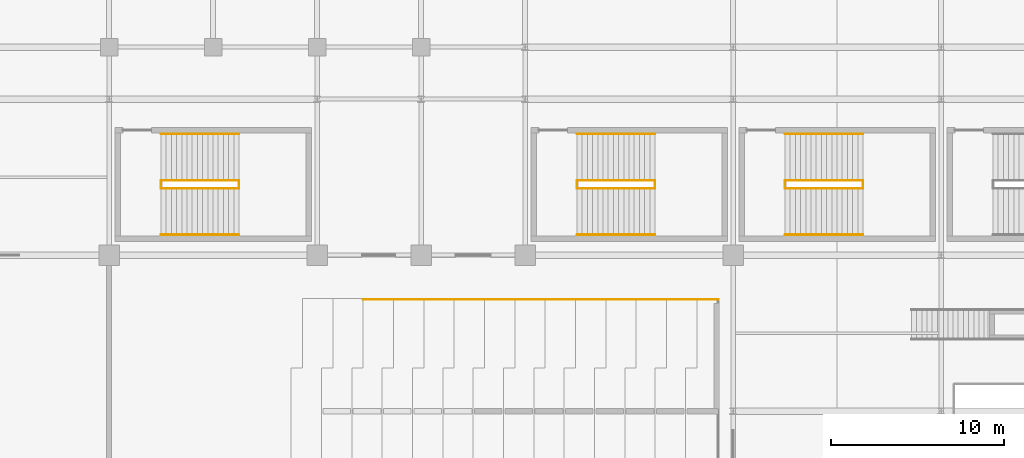
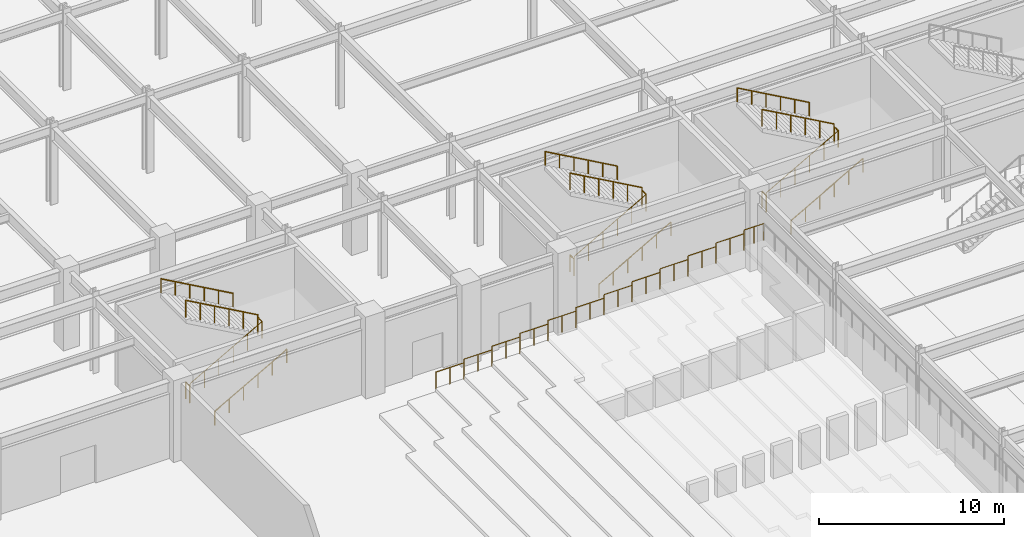
# One storey, part 97 of 100: 30 railings.
"""IFC4 building model written with IfcOpenShell, lengths in metres."""

from ifc_helpers import new_model, si_unit, direction, frame, origin, origin_2d, place, context, subcontext, project, spatial, circle, extrude, material, type_object, element, save


model = new_model("IFC4")

# Units and contexts
model_context = context("Model", 3, precision=1e-05, world=origin(), true_north=direction((0.0, 1.0)))
body_context = subcontext(model_context, "Body", "Model", "MODEL_VIEW")
ifc_project = project(units=[si_unit("LENGTHUNIT", "METRE"), si_unit("AREAUNIT", "SQUARE_METRE"), si_unit("VOLUMEUNIT", "CUBIC_METRE"), si_unit("PLANEANGLEUNIT", "RADIAN"), si_unit("MASSUNIT", "GRAM", prefix="KILO")], contexts=[model_context])

# Site, building, storey
site_placement = place(None, origin())
site = spatial("IfcSite", under=ifc_project, at=site_placement, CompositionType="ELEMENT")
building_placement = place(site_placement, origin())
building = spatial("IfcBuilding", under=site, at=building_placement, Name="Kaldorvane Square Convention Centre", CompositionType="ELEMENT")
storey_placement = place(building_placement, frame((0.0, 0.0, 18.0)))
storey = spatial("IfcBuildingStorey", under=building, at=storey_placement, Name="L03", CompositionType="ELEMENT", Elevation=18.0)

# Railings
ifc_material = material(Name="Architectural Painted Steel", Category="steel")
railing_type_1 = type_object("IfcRailingType", Name="RL-GUARD-1120", PredefinedType="BALUSTRADE", material=ifc_material)
for number, where, name in (
    (1, (80.99000549316406, 75.86000061035156, 0.0), "Convention Exit Stair C15 Floor Well Guard (L03)"),
    (2, (85.49000549316406, 75.86000061035156, 2.6999969482421875), "Convention Exit Stair C15 Half-Landing Guard (L03)"),
):
    element("IfcRailing", number, at=place(storey_placement, frame(where)), inside=storey, type_object=railing_type_1, Name=name, PredefinedType="BALUSTRADE", context=body_context, shape_type="SweptSolid", body=[
        extrude(circle(Radius=0.0240020751953125, at=origin_2d()), frame((0.0, 0.0, 1.0959930419921875), z_axis=(0.0, 1.0, 0.0), x_axis=(-1.0, 0.0, 0.0)), (0.0, 0.0, 1.0), 0.44000244140625),
        extrude(circle(Radius=0.02099609375, at=origin_2d()), origin(), (0.0, 0.0, 1.0), 1.071990966796875),
        extrude(circle(Radius=0.02099609375, at=origin_2d()), frame((0.0, 0.44000244140625, 0.0)), (0.0, 0.0, 1.0), 1.071990966796875),
    ])
railing_1_placement = place(storey_placement, frame((80.99000549316406, 75.85000610351562, 0.1687469482421875)))
element("IfcRailing", 3, at=railing_1_placement, inside=storey, type_object=railing_type_1, Name="Convention Exit Stair C15 Flight 1 Guard (L03)", PredefinedType="BALUSTRADE", context=body_context, shape_type="SweptSolid", body=[
    extrude(circle(Radius=0.0240020751953125, at=origin_2d()), frame((0.0, 0.0, 1.0959930419921875), z_axis=(0.871575537125, 0.0, 0.490261239633), x_axis=(0.0, 1.0, 0.0)), (0.0, 0.0, 1.0), 5.1630706787109375),
    extrude(circle(Radius=0.02099609375, at=origin_2d()), origin(), (0.0, 0.0, 1.0), 1.071990966796875),
    extrude(circle(Radius=0.02099609375, at=origin_2d()), frame((0.899993896484375, 0.0, 0.506256103515625)), (0.0, 0.0, 1.0), 1.071990966796875),
    extrude(circle(Radius=0.02099609375, at=origin_2d()), frame((1.8000030517578125, 0.0, 1.0124969482421875)), (0.0, 0.0, 1.0), 1.071990966796875),
    extrude(circle(Radius=0.02099609375, at=origin_2d()), frame((2.6999969482421875, 0.0, 1.5187530517578125)), (0.0, 0.0, 1.0), 1.071990966796875),
    extrude(circle(Radius=0.02099609375, at=origin_2d()), frame((3.600006103515625, 0.0, 2.024993896484375)), (0.0, 0.0, 1.0), 1.071990966796875),
    extrude(circle(Radius=0.02099609375, at=origin_2d()), frame((4.5, 0.0, 2.53125)), (0.0, 0.0, 1.0), 1.071990966796875),
])
railing_2_placement = place(storey_placement, frame((85.49000549316406, 76.30999755859375, 2.868743896484375)))
element("IfcRailing", 4, at=railing_2_placement, inside=storey, type_object=railing_type_1, Name="Convention Exit Stair C15 Flight 2 Guard (L03)", PredefinedType="BALUSTRADE", context=body_context, shape_type="SweptSolid", body=[
    extrude(circle(Radius=0.0240020751953125, at=origin_2d()), frame((0.0, 0.0, 1.0959930419921875), z_axis=(-0.871575537125, 0.0, 0.490261239633), x_axis=(0.0, -1.0, 0.0)), (0.0, 0.0, 1.0), 5.1630706787109375),
    extrude(circle(Radius=0.02099609375, at=origin_2d()), origin(), (0.0, 0.0, 1.0), 1.071990966796875),
    extrude(circle(Radius=0.02099609375, at=origin_2d()), frame((-0.899993896484375, 0.0, 0.506256103515625)), (0.0, 0.0, 1.0), 1.071990966796875),
    extrude(circle(Radius=0.02099609375, at=origin_2d()), frame((-1.8000030517578125, 0.0, 1.0124969482421875)), (0.0, 0.0, 1.0), 1.071990966796875),
    extrude(circle(Radius=0.02099609375, at=origin_2d()), frame((-2.6999969482421875, 0.0, 1.5187530517578125)), (0.0, 0.0, 1.0), 1.071990966796875),
    extrude(circle(Radius=0.02099609375, at=origin_2d()), frame((-3.600006103515625, 0.0, 2.024993896484375)), (0.0, 0.0, 1.0), 1.071990966796875),
    extrude(circle(Radius=0.02099609375, at=origin_2d()), frame((-4.5, 0.0, 2.53125)), (0.0, 0.0, 1.0), 1.071990966796875),
])
for number, where, name in (
    (5, (104.99000549316406, 75.86000061035156, 0.0), "Convention Exit Stair C16 Floor Well Guard (L03)"),
    (6, (109.49000549316406, 75.86000061035156, 2.6999969482421875), "Convention Exit Stair C16 Half-Landing Guard (L03)"),
):
    element("IfcRailing", number, at=place(storey_placement, frame(where)), inside=storey, type_object=railing_type_1, Name=name, PredefinedType="BALUSTRADE", context=body_context, shape_type="SweptSolid", body=[
        extrude(circle(Radius=0.0240020751953125, at=origin_2d()), frame((0.0, 0.0, 1.0959930419921875), z_axis=(0.0, 1.0, 0.0), x_axis=(-1.0, 0.0, 0.0)), (0.0, 0.0, 1.0), 0.44000244140625),
        extrude(circle(Radius=0.02099609375, at=origin_2d()), origin(), (0.0, 0.0, 1.0), 1.071990966796875),
        extrude(circle(Radius=0.02099609375, at=origin_2d()), frame((0.0, 0.44000244140625, 0.0)), (0.0, 0.0, 1.0), 1.071990966796875),
    ])
railing_3_placement = place(storey_placement, frame((104.99000549316406, 75.85000610351562, 0.1687469482421875)))
element("IfcRailing", 7, at=railing_3_placement, inside=storey, type_object=railing_type_1, Name="Convention Exit Stair C16 Flight 1 Guard (L03)", PredefinedType="BALUSTRADE", context=body_context, shape_type="SweptSolid", body=[
    extrude(circle(Radius=0.0240020751953125, at=origin_2d()), frame((0.0, 0.0, 1.0959930419921875), z_axis=(0.871575537125, 0.0, 0.490261239633), x_axis=(0.0, 1.0, 0.0)), (0.0, 0.0, 1.0), 5.1630706787109375),
    extrude(circle(Radius=0.02099609375, at=origin_2d()), origin(), (0.0, 0.0, 1.0), 1.071990966796875),
    extrude(circle(Radius=0.02099609375, at=origin_2d()), frame((0.899993896484375, 0.0, 0.506256103515625)), (0.0, 0.0, 1.0), 1.071990966796875),
    extrude(circle(Radius=0.02099609375, at=origin_2d()), frame((1.8000030517578125, 0.0, 1.0124969482421875)), (0.0, 0.0, 1.0), 1.071990966796875),
    extrude(circle(Radius=0.02099609375, at=origin_2d()), frame((2.6999969482421875, 0.0, 1.5187530517578125)), (0.0, 0.0, 1.0), 1.071990966796875),
    extrude(circle(Radius=0.02099609375, at=origin_2d()), frame((3.600006103515625, 0.0, 2.024993896484375)), (0.0, 0.0, 1.0), 1.071990966796875),
    extrude(circle(Radius=0.02099609375, at=origin_2d()), frame((4.5, 0.0, 2.53125)), (0.0, 0.0, 1.0), 1.071990966796875),
])
railing_4_placement = place(storey_placement, frame((109.49000549316406, 76.30999755859375, 2.868743896484375)))
element("IfcRailing", 8, at=railing_4_placement, inside=storey, type_object=railing_type_1, Name="Convention Exit Stair C16 Flight 2 Guard (L03)", PredefinedType="BALUSTRADE", context=body_context, shape_type="SweptSolid", body=[
    extrude(circle(Radius=0.0240020751953125, at=origin_2d()), frame((0.0, 0.0, 1.0959930419921875), z_axis=(-0.871575537125, 0.0, 0.490261239633), x_axis=(0.0, -1.0, 0.0)), (0.0, 0.0, 1.0), 5.1630706787109375),
    extrude(circle(Radius=0.02099609375, at=origin_2d()), origin(), (0.0, 0.0, 1.0), 1.071990966796875),
    extrude(circle(Radius=0.02099609375, at=origin_2d()), frame((-0.899993896484375, 0.0, 0.506256103515625)), (0.0, 0.0, 1.0), 1.071990966796875),
    extrude(circle(Radius=0.02099609375, at=origin_2d()), frame((-1.8000030517578125, 0.0, 1.0124969482421875)), (0.0, 0.0, 1.0), 1.071990966796875),
    extrude(circle(Radius=0.02099609375, at=origin_2d()), frame((-2.6999969482421875, 0.0, 1.5187530517578125)), (0.0, 0.0, 1.0), 1.071990966796875),
    extrude(circle(Radius=0.02099609375, at=origin_2d()), frame((-3.600006103515625, 0.0, 2.024993896484375)), (0.0, 0.0, 1.0), 1.071990966796875),
    extrude(circle(Radius=0.02099609375, at=origin_2d()), frame((-4.5, 0.0, 2.53125)), (0.0, 0.0, 1.0), 1.071990966796875),
])
for number, where, name in (
    (9, (116.99000549316406, 75.86000061035156, 0.0), "Convention Exit Stair C17 Floor Well Guard (L03)"),
    (10, (121.49000549316406, 75.86000061035156, 2.6999969482421875), "Convention Exit Stair C17 Half-Landing Guard (L03)"),
):
    element("IfcRailing", number, at=place(storey_placement, frame(where)), inside=storey, type_object=railing_type_1, Name=name, PredefinedType="BALUSTRADE", context=body_context, shape_type="SweptSolid", body=[
        extrude(circle(Radius=0.0240020751953125, at=origin_2d()), frame((0.0, 0.0, 1.0959930419921875), z_axis=(0.0, 1.0, 0.0), x_axis=(-1.0, 0.0, 0.0)), (0.0, 0.0, 1.0), 0.44000244140625),
        extrude(circle(Radius=0.02099609375, at=origin_2d()), origin(), (0.0, 0.0, 1.0), 1.071990966796875),
        extrude(circle(Radius=0.02099609375, at=origin_2d()), frame((0.0, 0.44000244140625, 0.0)), (0.0, 0.0, 1.0), 1.071990966796875),
    ])
railing_5_placement = place(storey_placement, frame((116.99000549316406, 75.85000610351562, 0.1687469482421875)))
element("IfcRailing", 11, at=railing_5_placement, inside=storey, type_object=railing_type_1, Name="Convention Exit Stair C17 Flight 1 Guard (L03)", PredefinedType="BALUSTRADE", context=body_context, shape_type="SweptSolid", body=[
    extrude(circle(Radius=0.0240020751953125, at=origin_2d()), frame((0.0, 0.0, 1.0959930419921875), z_axis=(0.871575537125, 0.0, 0.490261239633), x_axis=(0.0, 1.0, 0.0)), (0.0, 0.0, 1.0), 5.1630706787109375),
    extrude(circle(Radius=0.02099609375, at=origin_2d()), origin(), (0.0, 0.0, 1.0), 1.071990966796875),
    extrude(circle(Radius=0.02099609375, at=origin_2d()), frame((0.899993896484375, 0.0, 0.506256103515625)), (0.0, 0.0, 1.0), 1.071990966796875),
    extrude(circle(Radius=0.02099609375, at=origin_2d()), frame((1.8000030517578125, 0.0, 1.0124969482421875)), (0.0, 0.0, 1.0), 1.071990966796875),
    extrude(circle(Radius=0.02099609375, at=origin_2d()), frame((2.6999969482421875, 0.0, 1.5187530517578125)), (0.0, 0.0, 1.0), 1.071990966796875),
    extrude(circle(Radius=0.02099609375, at=origin_2d()), frame((3.600006103515625, 0.0, 2.024993896484375)), (0.0, 0.0, 1.0), 1.071990966796875),
    extrude(circle(Radius=0.02099609375, at=origin_2d()), frame((4.5, 0.0, 2.53125)), (0.0, 0.0, 1.0), 1.071990966796875),
])
railing_6_placement = place(storey_placement, frame((121.49000549316406, 76.30999755859375, 2.868743896484375)))
element("IfcRailing", 12, at=railing_6_placement, inside=storey, type_object=railing_type_1, Name="Convention Exit Stair C17 Flight 2 Guard (L03)", PredefinedType="BALUSTRADE", context=body_context, shape_type="SweptSolid", body=[
    extrude(circle(Radius=0.0240020751953125, at=origin_2d()), frame((0.0, 0.0, 1.0959930419921875), z_axis=(-0.871575537125, 0.0, 0.490261239633), x_axis=(0.0, -1.0, 0.0)), (0.0, 0.0, 1.0), 5.1630706787109375),
    extrude(circle(Radius=0.02099609375, at=origin_2d()), origin(), (0.0, 0.0, 1.0), 1.071990966796875),
    extrude(circle(Radius=0.02099609375, at=origin_2d()), frame((-0.899993896484375, 0.0, 0.506256103515625)), (0.0, 0.0, 1.0), 1.071990966796875),
    extrude(circle(Radius=0.02099609375, at=origin_2d()), frame((-1.8000030517578125, 0.0, 1.0124969482421875)), (0.0, 0.0, 1.0), 1.071990966796875),
    extrude(circle(Radius=0.02099609375, at=origin_2d()), frame((-2.6999969482421875, 0.0, 1.5187530517578125)), (0.0, 0.0, 1.0), 1.071990966796875),
    extrude(circle(Radius=0.02099609375, at=origin_2d()), frame((-3.600006103515625, 0.0, 2.024993896484375)), (0.0, 0.0, 1.0), 1.071990966796875),
    extrude(circle(Radius=0.02099609375, at=origin_2d()), frame((-4.5, 0.0, 2.53125)), (0.0, 0.0, 1.0), 1.071990966796875),
])
for number, where, name in (
    (13, (92.64999389648438, 69.44000244140625, 0.7400054931640625), "Plenary Tier 03 North Aisle Guard"),
    (14, (94.39999389648438, 69.44000244140625, 0.9799957275390625), "Plenary Tier 04 North Aisle Guard"),
    (15, (96.14999389648438, 69.44000244140625, 1.220001220703125), "Plenary Tier 05 North Aisle Guard"),
    (16, (97.89999389648438, 69.44000244140625, 1.4600067138671875), "Plenary Tier 06 North Aisle Guard"),
    (17, (99.64999389648438, 69.44000244140625, 1.6999969482421875), "Plenary Tier 07 North Aisle Guard"),
    (18, (101.39999389648438, 69.44000244140625, 1.94000244140625), "Plenary Tier 08 North Aisle Guard"),
    (19, (103.14999389648438, 69.44000244140625, 2.17999267578125), "Plenary Tier 09 North Aisle Guard"),
    (20, (104.89999389648438, 69.44000244140625, 2.4199981689453125), "Plenary Tier 10 North Aisle Guard"),
    (21, (106.64999389648438, 69.44000244140625, 2.660003662109375), "Plenary Tier 11 North Aisle Guard"),
    (22, (108.39999389648438, 69.44000244140625, 2.899993896484375), "Plenary Tier 12 North Aisle Guard"),
    (23, (110.14999389648438, 69.44000244140625, 3.1399993896484375), "Plenary Tier 13 North Aisle Guard"),
):
    element("IfcRailing", number, at=place(storey_placement, frame(where)), inside=storey, type_object=railing_type_1, Name=name, PredefinedType="BALUSTRADE", context=body_context, shape_type="SweptSolid", body=[
        extrude(circle(Radius=0.0240020751953125, at=origin_2d()), frame((0.0, 0.0, 1.0959930419921875), z_axis=(1.0, 0.0, 0.0), x_axis=(0.0, 1.0, 0.0)), (0.0, 0.0, 1.0), 1.75),
        extrude(circle(Radius=0.02099609375, at=origin_2d()), origin(), (0.0, 0.0, 1.0), 1.071990966796875),
        extrude(circle(Radius=0.02099609375, at=origin_2d()), frame((0.875, 0.0, 0.0)), (0.0, 0.0, 1.0), 1.071990966796875),
        extrude(circle(Radius=0.02099609375, at=origin_2d()), frame((1.75, 0.0, 0.0)), (0.0, 0.0, 1.0), 1.071990966796875),
    ])
railing_7_placement = place(storey_placement, frame((111.89999389648438, 69.44000244140625, 3.3800048828125)))
element("IfcRailing", 24, at=railing_7_placement, inside=storey, type_object=railing_type_1, Name="Plenary Tier 14 North Aisle Guard", PredefinedType="BALUSTRADE", context=body_context, shape_type="SweptSolid", body=[
    extrude(circle(Radius=0.0240020751953125, at=origin_2d()), frame((0.0, 0.0, 1.0959930419921875), z_axis=(1.0, 0.0, 0.0), x_axis=(0.0, 1.0, 0.0)), (0.0, 0.0, 1.0), 1.2400054931640625),
    extrude(circle(Radius=0.02099609375, at=origin_2d()), origin(), (0.0, 0.0, 1.0), 1.071990966796875),
    extrude(circle(Radius=0.02099609375, at=origin_2d()), frame((0.6199951171875, 0.0, 0.0)), (0.0, 0.0, 1.0), 1.071990966796875),
    extrude(circle(Radius=0.02099609375, at=origin_2d()), frame((1.2400054931640625, 0.0, 0.0)), (0.0, 0.0, 1.0), 1.071990966796875),
])
railing_type_2 = type_object("IfcRailingType", Name="RL-HAND-915", PredefinedType="HANDRAIL", material=ifc_material)
railing_8_placement = place(storey_placement, frame((80.99000549316406, 73.16999816894531, 0.1687469482421875)))
element("IfcRailing", 25, at=railing_8_placement, inside=storey, type_object=railing_type_2, Name="Convention Exit Stair C15 Wall Handrail 1 (L03)", PredefinedType="HANDRAIL", context=body_context, shape_type="SweptSolid", body=[
    extrude(circle(Radius=0.0240020751953125, at=origin_2d()), frame((0.0, 0.0, 0.8909912109375), z_axis=(0.871575537125, 0.0, 0.490261239633), x_axis=(0.0, 1.0, 0.0)), (0.0, 0.0, 1.0), 5.1630706787109375),
    extrude(circle(Radius=0.02099609375, at=origin_2d()), origin(), (0.0, 0.0, 1.0), 0.8669891357421875),
    extrude(circle(Radius=0.02099609375, at=origin_2d()), frame((0.899993896484375, 0.0, 0.506256103515625)), (0.0, 0.0, 1.0), 0.8669891357421875),
    extrude(circle(Radius=0.02099609375, at=origin_2d()), frame((1.8000030517578125, 0.0, 1.0124969482421875)), (0.0, 0.0, 1.0), 0.8669891357421875),
    extrude(circle(Radius=0.02099609375, at=origin_2d()), frame((2.6999969482421875, 0.0, 1.5187530517578125)), (0.0, 0.0, 1.0), 0.8669891357421875),
    extrude(circle(Radius=0.02099609375, at=origin_2d()), frame((3.600006103515625, 0.0, 2.024993896484375)), (0.0, 0.0, 1.0), 0.8669891357421875),
    extrude(circle(Radius=0.02099609375, at=origin_2d()), frame((4.5, 0.0, 2.53125)), (0.0, 0.0, 1.0), 0.8669891357421875),
])
railing_9_placement = place(storey_placement, frame((85.49000549316406, 78.99000549316406, 2.868743896484375)))
element("IfcRailing", 26, at=railing_9_placement, inside=storey, type_object=railing_type_2, Name="Convention Exit Stair C15 Wall Handrail 2 (L03)", PredefinedType="HANDRAIL", context=body_context, shape_type="SweptSolid", body=[
    extrude(circle(Radius=0.0240020751953125, at=origin_2d()), frame((0.0, 0.0, 0.8909912109375), z_axis=(-0.871575537125, 0.0, 0.490261239633), x_axis=(0.0, -1.0, 0.0)), (0.0, 0.0, 1.0), 5.1630706787109375),
    extrude(circle(Radius=0.02099609375, at=origin_2d()), origin(), (0.0, 0.0, 1.0), 0.8669891357421875),
    extrude(circle(Radius=0.02099609375, at=origin_2d()), frame((-0.899993896484375, 0.0, 0.506256103515625)), (0.0, 0.0, 1.0), 0.8669891357421875),
    extrude(circle(Radius=0.02099609375, at=origin_2d()), frame((-1.8000030517578125, 0.0, 1.0124969482421875)), (0.0, 0.0, 1.0), 0.8669891357421875),
    extrude(circle(Radius=0.02099609375, at=origin_2d()), frame((-2.6999969482421875, 0.0, 1.5187530517578125)), (0.0, 0.0, 1.0), 0.8669891357421875),
    extrude(circle(Radius=0.02099609375, at=origin_2d()), frame((-3.600006103515625, 0.0, 2.024993896484375)), (0.0, 0.0, 1.0), 0.8669891357421875),
    extrude(circle(Radius=0.02099609375, at=origin_2d()), frame((-4.5, 0.0, 2.53125)), (0.0, 0.0, 1.0), 0.8669891357421875),
])
railing_10_placement = place(storey_placement, frame((104.99000549316406, 73.16999816894531, 0.1687469482421875)))
element("IfcRailing", 27, at=railing_10_placement, inside=storey, type_object=railing_type_2, Name="Convention Exit Stair C16 Wall Handrail 1 (L03)", PredefinedType="HANDRAIL", context=body_context, shape_type="SweptSolid", body=[
    extrude(circle(Radius=0.0240020751953125, at=origin_2d()), frame((0.0, 0.0, 0.8909912109375), z_axis=(0.871575537125, 0.0, 0.490261239633), x_axis=(0.0, 1.0, 0.0)), (0.0, 0.0, 1.0), 5.1630706787109375),
    extrude(circle(Radius=0.02099609375, at=origin_2d()), origin(), (0.0, 0.0, 1.0), 0.8669891357421875),
    extrude(circle(Radius=0.02099609375, at=origin_2d()), frame((0.899993896484375, 0.0, 0.506256103515625)), (0.0, 0.0, 1.0), 0.8669891357421875),
    extrude(circle(Radius=0.02099609375, at=origin_2d()), frame((1.8000030517578125, 0.0, 1.0124969482421875)), (0.0, 0.0, 1.0), 0.8669891357421875),
    extrude(circle(Radius=0.02099609375, at=origin_2d()), frame((2.6999969482421875, 0.0, 1.5187530517578125)), (0.0, 0.0, 1.0), 0.8669891357421875),
    extrude(circle(Radius=0.02099609375, at=origin_2d()), frame((3.600006103515625, 0.0, 2.024993896484375)), (0.0, 0.0, 1.0), 0.8669891357421875),
    extrude(circle(Radius=0.02099609375, at=origin_2d()), frame((4.5, 0.0, 2.53125)), (0.0, 0.0, 1.0), 0.8669891357421875),
])
railing_11_placement = place(storey_placement, frame((109.49000549316406, 78.99000549316406, 2.868743896484375)))
element("IfcRailing", 28, at=railing_11_placement, inside=storey, type_object=railing_type_2, Name="Convention Exit Stair C16 Wall Handrail 2 (L03)", PredefinedType="HANDRAIL", context=body_context, shape_type="SweptSolid", body=[
    extrude(circle(Radius=0.0240020751953125, at=origin_2d()), frame((0.0, 0.0, 0.8909912109375), z_axis=(-0.871575537125, 0.0, 0.490261239633), x_axis=(0.0, -1.0, 0.0)), (0.0, 0.0, 1.0), 5.1630706787109375),
    extrude(circle(Radius=0.02099609375, at=origin_2d()), origin(), (0.0, 0.0, 1.0), 0.8669891357421875),
    extrude(circle(Radius=0.02099609375, at=origin_2d()), frame((-0.899993896484375, 0.0, 0.506256103515625)), (0.0, 0.0, 1.0), 0.8669891357421875),
    extrude(circle(Radius=0.02099609375, at=origin_2d()), frame((-1.8000030517578125, 0.0, 1.0124969482421875)), (0.0, 0.0, 1.0), 0.8669891357421875),
    extrude(circle(Radius=0.02099609375, at=origin_2d()), frame((-2.6999969482421875, 0.0, 1.5187530517578125)), (0.0, 0.0, 1.0), 0.8669891357421875),
    extrude(circle(Radius=0.02099609375, at=origin_2d()), frame((-3.600006103515625, 0.0, 2.024993896484375)), (0.0, 0.0, 1.0), 0.8669891357421875),
    extrude(circle(Radius=0.02099609375, at=origin_2d()), frame((-4.5, 0.0, 2.53125)), (0.0, 0.0, 1.0), 0.8669891357421875),
])
railing_12_placement = place(storey_placement, frame((116.99000549316406, 73.16999816894531, 0.1687469482421875)))
element("IfcRailing", 29, at=railing_12_placement, inside=storey, type_object=railing_type_2, Name="Convention Exit Stair C17 Wall Handrail 1 (L03)", PredefinedType="HANDRAIL", context=body_context, shape_type="SweptSolid", body=[
    extrude(circle(Radius=0.0240020751953125, at=origin_2d()), frame((0.0, 0.0, 0.8909912109375), z_axis=(0.871575537125, 0.0, 0.490261239633), x_axis=(0.0, 1.0, 0.0)), (0.0, 0.0, 1.0), 5.1630706787109375),
    extrude(circle(Radius=0.02099609375, at=origin_2d()), origin(), (0.0, 0.0, 1.0), 0.8669891357421875),
    extrude(circle(Radius=0.02099609375, at=origin_2d()), frame((0.899993896484375, 0.0, 0.506256103515625)), (0.0, 0.0, 1.0), 0.8669891357421875),
    extrude(circle(Radius=0.02099609375, at=origin_2d()), frame((1.8000030517578125, 0.0, 1.0124969482421875)), (0.0, 0.0, 1.0), 0.8669891357421875),
    extrude(circle(Radius=0.02099609375, at=origin_2d()), frame((2.6999969482421875, 0.0, 1.5187530517578125)), (0.0, 0.0, 1.0), 0.8669891357421875),
    extrude(circle(Radius=0.02099609375, at=origin_2d()), frame((3.600006103515625, 0.0, 2.024993896484375)), (0.0, 0.0, 1.0), 0.8669891357421875),
    extrude(circle(Radius=0.02099609375, at=origin_2d()), frame((4.5, 0.0, 2.53125)), (0.0, 0.0, 1.0), 0.8669891357421875),
])
railing_13_placement = place(storey_placement, frame((121.49000549316406, 78.99000549316406, 2.868743896484375)))
element("IfcRailing", 30, at=railing_13_placement, inside=storey, type_object=railing_type_2, Name="Convention Exit Stair C17 Wall Handrail 2 (L03)", PredefinedType="HANDRAIL", context=body_context, shape_type="SweptSolid", body=[
    extrude(circle(Radius=0.0240020751953125, at=origin_2d()), frame((0.0, 0.0, 0.8909912109375), z_axis=(-0.871575537125, 0.0, 0.490261239633), x_axis=(0.0, -1.0, 0.0)), (0.0, 0.0, 1.0), 5.1630706787109375),
    extrude(circle(Radius=0.02099609375, at=origin_2d()), origin(), (0.0, 0.0, 1.0), 0.8669891357421875),
    extrude(circle(Radius=0.02099609375, at=origin_2d()), frame((-0.899993896484375, 0.0, 0.506256103515625)), (0.0, 0.0, 1.0), 0.8669891357421875),
    extrude(circle(Radius=0.02099609375, at=origin_2d()), frame((-1.8000030517578125, 0.0, 1.0124969482421875)), (0.0, 0.0, 1.0), 0.8669891357421875),
    extrude(circle(Radius=0.02099609375, at=origin_2d()), frame((-2.6999969482421875, 0.0, 1.5187530517578125)), (0.0, 0.0, 1.0), 0.8669891357421875),
    extrude(circle(Radius=0.02099609375, at=origin_2d()), frame((-3.600006103515625, 0.0, 2.024993896484375)), (0.0, 0.0, 1.0), 0.8669891357421875),
    extrude(circle(Radius=0.02099609375, at=origin_2d()), frame((-4.5, 0.0, 2.53125)), (0.0, 0.0, 1.0), 0.8669891357421875),
])

save(model, "model.ifc")
